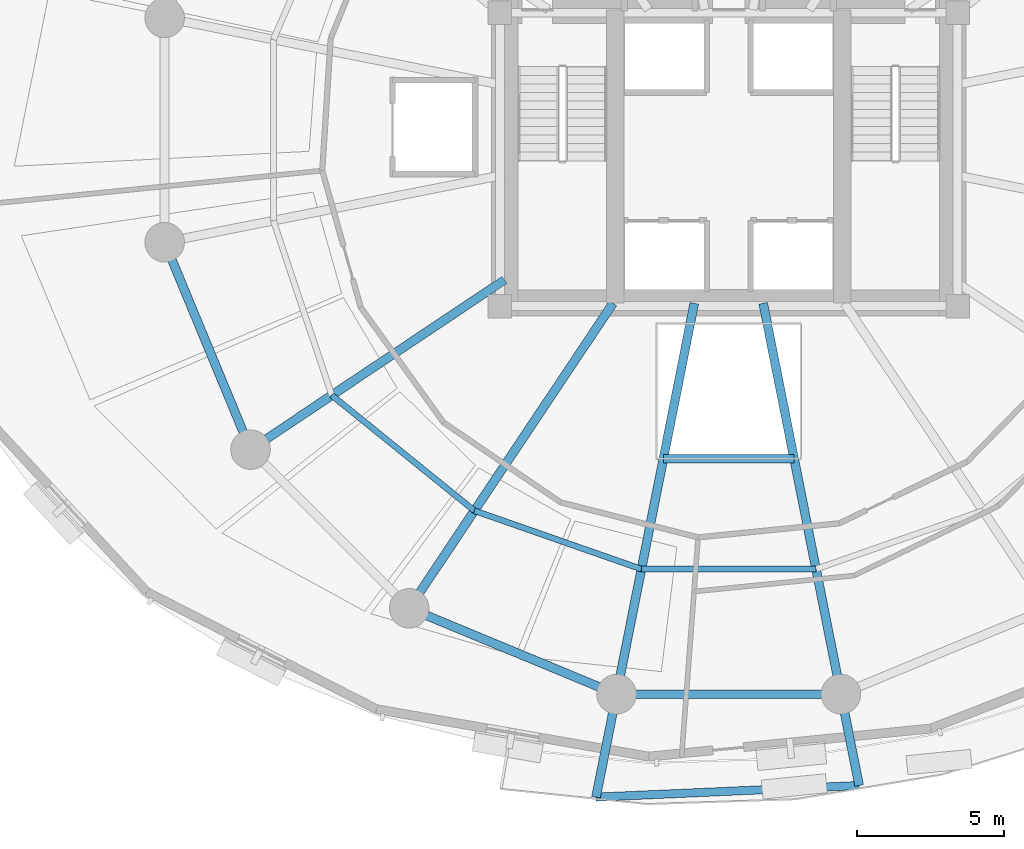
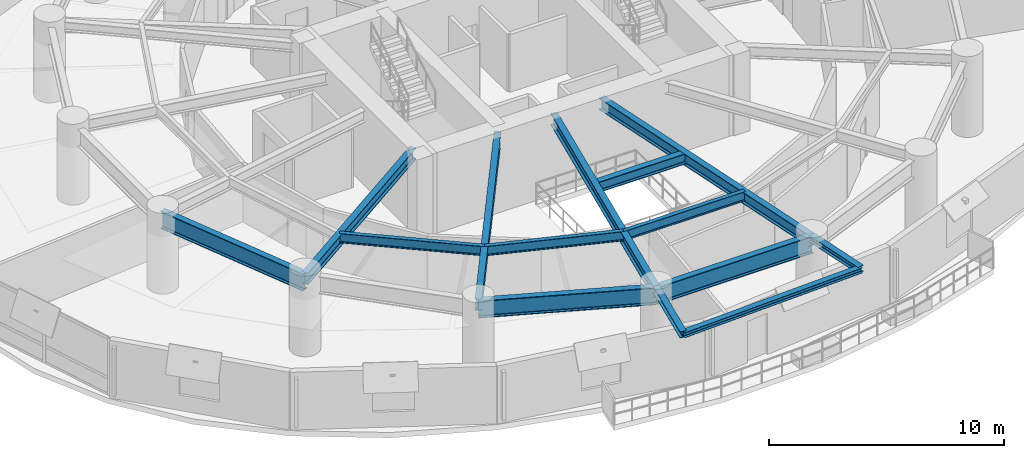
# One storey, part 3 of 17: 14 beams.
"""IFC4 building model written with IfcOpenShell, lengths in metres."""

from ifc_helpers import new_model, si_unit, direction, frame, origin, origin_2d, place, context, subcontext, project, spatial, i_section, extrude, material, material_profile, profile_set, type_object, element, save


model = new_model("IFC4")

# Units and contexts
model_context = context("Model", 3, precision=1e-05, world=origin(), true_north=direction((0.0, 1.0)))
body_context = subcontext(model_context, "Body", "Model", "MODEL_VIEW")
ifc_project = project(units=[si_unit("LENGTHUNIT", "METRE"), si_unit("AREAUNIT", "SQUARE_METRE"), si_unit("VOLUMEUNIT", "CUBIC_METRE"), si_unit("PLANEANGLEUNIT", "RADIAN"), si_unit("MASSUNIT", "GRAM", prefix="KILO"), si_unit("THERMODYNAMICTEMPERATUREUNIT", "KELVIN"), si_unit("POWERUNIT", "WATT")], contexts=[model_context])

# Site, building, storey
site_placement = place(None, origin())
site = spatial("IfcSite", under=ifc_project, at=site_placement, CompositionType="ELEMENT")
building_placement = place(site_placement, origin())
building = spatial("IfcBuilding", under=site, at=building_placement, Name="Ocrelia Relay Tower", CompositionType="ELEMENT")
storey_placement = place(building_placement, frame((0.0, 0.0, 55.199951171875)))
storey = spatial("IfcBuildingStorey", under=building, at=storey_placement, Name="L12", CompositionType="ELEMENT", Elevation=55.199951171875)

# Beams
ifc_material = material(Name="Steel S355", Category="steel")
ifc_material_profile_1 = material_profile(ifc_material, i_section(OverallWidth=0.280029296875, OverallDepth=0.27001953125, WebThickness=0.008056640625, FlangeThickness=0.012939453125, FilletRadius=0.02392578125, at=origin_2d()), Name="HEA 280")
ifc_profile_set_1 = profile_set([ifc_material_profile_1], Name="Steel S355")
beam_type_1 = type_object("IfcBeamType", Name="BM-HEA280", PredefinedType="BEAM", material=ifc_profile_set_1)
beam_1_placement = place(storey_placement, frame((29.47802734375, 3.26708984375, 3.78515625), z_axis=(0.999021033934, 0.04423769611, 0.0), x_axis=(-0.04423769611, 0.999021033934, 0.0)))
element("IfcBeam", 1, at=beam_1_placement, inside=storey, type_object=beam_type_1, Name="L13 Balcony Edge Trimmer Beam B2", PredefinedType="BEAM", context=body_context, shape_type="SweptSolid", body=[
    extrude(i_section(OverallWidth=0.280029296875, OverallDepth=0.27001953125, WebThickness=0.008056640625, FlangeThickness=0.012939453125, FilletRadius=0.02392578125, at=origin_2d()), origin(), (0.0, 0.0, 1.0), 8.9736328125),
])
ifc_material_profile_2 = material_profile(ifc_material, i_section(OverallWidth=0.300048828125, OverallDepth=0.330078125, WebThickness=0.009521484375, FlangeThickness=0.0166015625, FilletRadius=0.027099609375, at=origin_2d()), Name="HEA 340")
ifc_profile_set_2 = profile_set([ifc_material_profile_2], Name="Steel S355")
beam_type_2 = type_object("IfcBeamType", Name="BM-HEA340", PredefinedType="BEAM", material=ifc_profile_set_2)
beam_2_placement = place(storey_placement, frame((30.17626953125, 6.776611328125, 3.755126953125), z_axis=(-0.1951319792, -0.980776993355, 0.0), x_axis=(0.980776993355, -0.1951319792, 0.0)))
element("IfcBeam", 2, at=beam_2_placement, inside=storey, type_object=beam_type_2, Name="L13 Balcony Cantilever Beam B2-1", PredefinedType="BEAM", context=body_context, shape_type="SweptSolid", body=[
    extrude(i_section(OverallWidth=0.300048828125, OverallDepth=0.330078125, WebThickness=0.009521484375, FlangeThickness=0.0166015625, FilletRadius=0.027099609375, at=origin_2d()), origin(), (0.0, 0.0, 1.0), 3.578369140625),
])
beam_3_placement = place(storey_placement, frame((37.82373046875, 6.776611328125, 3.755126953125), z_axis=(0.195095223059, -0.980784305512, 0.0), x_axis=(0.980784305512, 0.195095223059, 0.0)))
element("IfcBeam", 3, at=beam_3_placement, inside=storey, type_object=beam_type_2, Name="L13 Balcony Cantilever Beam B2-2", PredefinedType="BEAM", context=body_context, shape_type="SweptSolid", body=[
    extrude(i_section(OverallWidth=0.300048828125, OverallDepth=0.330078125, WebThickness=0.009521484375, FlangeThickness=0.0166015625, FilletRadius=0.027099609375, at=origin_2d()), origin(), (0.0, 0.0, 1.0), 3.173583984375),
])
ifc_material_profile_3 = material_profile(ifc_material, i_section(OverallWidth=0.300048828125, OverallDepth=0.550048828125, WebThickness=0.014892578125, FlangeThickness=0.029052734375, FilletRadius=0.027099609375, at=origin_2d()), Name="HEB 550")
ifc_profile_set_3 = profile_set([ifc_material_profile_3], Name="Steel S355")
beam_type_3 = type_object("IfcBeamType", Name="BM-HEB550", PredefinedType="BEAM", material=ifc_profile_set_3)
beam_4_placement = place(storey_placement, frame((31.772216796875, 14.800048828125, 3.64501953125), z_axis=(1.0, 0.0, 0.0), x_axis=(0.0, 1.0, 0.0)))
element("IfcBeam", 4, at=beam_4_placement, inside=storey, type_object=beam_type_3, Name="L12 Atrium South Trimmer Beam", PredefinedType="BEAM", context=body_context, shape_type="SweptSolid", body=[
    extrude(i_section(OverallWidth=0.300048828125, OverallDepth=0.550048828125, WebThickness=0.014892578125, FlangeThickness=0.029052734375, FilletRadius=0.027099609375, at=origin_2d()), origin(), (0.0, 0.0, 1.0), 4.45556640625),
])
ifc_material_profile_4 = material_profile(ifc_material, i_section(OverallWidth=0.300048828125, OverallDepth=0.60009765625, WebThickness=0.015380859375, FlangeThickness=0.030029296875, FilletRadius=0.027099609375, at=origin_2d()), Name="HEB 600")
ifc_profile_set_4 = profile_set([ifc_material_profile_4], Name="Steel S355")
beam_type_4 = type_object("IfcBeamType", Name="BM-HEB600", PredefinedType="BEAM", material=ifc_profile_set_4)
beam_5_placement = place(storey_placement, frame((17.703125, 15.11083984375, 3.6201171875), z_axis=(0.83146868639, 0.555571618743, 0.0), x_axis=(-0.555571618743, 0.83146868639, 0.0)))
element("IfcBeam", 5, at=beam_5_placement, inside=storey, type_object=beam_type_4, Name="L12 Radial Floor Girder R10", PredefinedType="BEAM", context=body_context, shape_type="SweptSolid", body=[
    extrude(i_section(OverallWidth=0.300048828125, OverallDepth=0.60009765625, WebThickness=0.015380859375, FlangeThickness=0.030029296875, FilletRadius=0.027099609375, at=origin_2d()), origin(), (0.0, 0.0, 1.0), 10.405517578125),
])
beam_6_placement = place(storey_placement, frame((23.11083984375, 9.703125, 3.6201171875), z_axis=(0.555569912646, 0.831469826369, 0.0), x_axis=(-0.831469826369, 0.555569912646, 0.0)))
element("IfcBeam", 6, at=beam_6_placement, inside=storey, type_object=beam_type_4, Name="L12 Radial Floor Girder R11", PredefinedType="BEAM", context=body_context, shape_type="SweptSolid", body=[
    extrude(i_section(OverallWidth=0.300048828125, OverallDepth=0.60009765625, WebThickness=0.015380859375, FlangeThickness=0.030029296875, FilletRadius=0.027099609375, at=origin_2d()), origin(), (0.0, 0.0, 1.0), 12.498046875),
])
for number, where, z_axis, x_axis, name in (
    (7, (30.17626953125, 6.776611328125, 3.6201171875), (0.195089155229, 0.980785512491, 0.0), (-0.980785512491, 0.195089155229, 0.0), "L12 Radial Floor Girder R12"),
    (8, (37.82373046875, 6.776611328125, 3.6201171875), (-0.195089155229, 0.980785512491, 0.0), (-0.980785512491, -0.195089155229, 0.0), "L12 Radial Floor Girder R13"),
):
    element("IfcBeam", number, at=place(storey_placement, frame(where, z_axis=z_axis, x_axis=x_axis)), inside=storey, type_object=beam_type_4, Name=name, PredefinedType="BEAM", context=body_context, shape_type="SweptSolid", body=[
        extrude(i_section(OverallWidth=0.300048828125, OverallDepth=0.60009765625, WebThickness=0.015380859375, FlangeThickness=0.030029296875, FilletRadius=0.027099609375, at=origin_2d()), origin(), (0.0, 0.0, 1.0), 13.579345703125),
    ])
ifc_material_profile_5 = material_profile(ifc_material, i_section(OverallWidth=0.300048828125, OverallDepth=0.89990234375, WebThickness=0.0185546875, FlangeThickness=0.034912109375, FilletRadius=0.030029296875, at=origin_2d()), Name="HEB 900")
ifc_profile_set_5 = profile_set([ifc_material_profile_5], Name="Steel S355")
beam_type_5 = type_object("IfcBeamType", Name="BM-HEB900", PredefinedType="BEAM", material=ifc_profile_set_5)
for number, where, z_axis, x_axis, name in (
    (9, (14.776611328125, 22.17626953125, 3.469970703125), (0.382674154222, -0.923883375589, 0.0), (0.923883375589, 0.382674154222, 0.0), "L12 Perimeter Spandrel Beam S09"),
    (10, (23.11083984375, 9.703125, 3.469970703125), (0.923883375589, -0.382674154222, 0.0), (0.382674154222, 0.923883375589, 0.0), "L12 Perimeter Spandrel Beam S11"),
    (11, (30.17626953125, 6.776611328125, 3.469970703125), (1.0, 0.0, 0.0), (0.0, 1.0, 0.0), "L12 Perimeter Spandrel Beam S12"),
):
    element("IfcBeam", number, at=place(storey_placement, frame(where, z_axis=z_axis, x_axis=x_axis)), inside=storey, type_object=beam_type_5, Name=name, PredefinedType="BEAM", context=body_context, shape_type="SweptSolid", body=[
        extrude(i_section(OverallWidth=0.300048828125, OverallDepth=0.89990234375, WebThickness=0.0185546875, FlangeThickness=0.034912109375, FilletRadius=0.030029296875, at=origin_2d()), origin(), (0.0, 0.0, 1.0), 7.6474609375),
    ])
ifc_material_profile_6 = material_profile(ifc_material, i_section(OverallWidth=0.199951171875, OverallDepth=0.5, WebThickness=0.01025390625, FlangeThickness=0.01611328125, FilletRadius=0.02099609375, at=origin_2d()), Name="IPE 500")
ifc_profile_set_6 = profile_set([ifc_material_profile_6], Name="Steel S355")
beam_type_6 = type_object("IfcBeamType", Name="BM-IPE500", PredefinedType="JOIST", material=ifc_profile_set_6)
beam_7_placement = place(storey_placement, frame((20.4716796875, 16.960693359375, 3.670166015625), z_axis=(0.77748215158, -0.628905003935, 0.0), x_axis=(0.628905003935, 0.77748215158, 0.0)))
element("IfcBeam", 12, at=beam_7_placement, inside=storey, type_object=beam_type_6, Name="L12 Secondary Floor Joist J10", PredefinedType="JOIST", context=body_context, shape_type="SweptSolid", body=[
    extrude(i_section(OverallWidth=0.199951171875, OverallDepth=0.5, WebThickness=0.01025390625, FlangeThickness=0.01611328125, FilletRadius=0.02099609375, at=origin_2d()), origin(), (0.0, 0.0, 1.0), 6.25244140625),
])
beam_8_placement = place(storey_placement, frame((25.332763671875, 13.028564453125, 3.670166015625), z_axis=(0.943957429675, -0.330067221882, 0.0), x_axis=(0.330067221882, 0.943957429675, 0.0)))
element("IfcBeam", 13, at=beam_8_placement, inside=storey, type_object=beam_type_6, Name="L12 Secondary Floor Joist J11", PredefinedType="JOIST", context=body_context, shape_type="SweptSolid", body=[
    extrude(i_section(OverallWidth=0.199951171875, OverallDepth=0.5, WebThickness=0.01025390625, FlangeThickness=0.01611328125, FilletRadius=0.02099609375, at=origin_2d()), origin(), (0.0, 0.0, 1.0), 6.029052734375),
])
beam_9_placement = place(storey_placement, frame((31.02392578125, 11.03857421875, 3.670166015625), z_axis=(1.0, 0.0, 0.0), x_axis=(0.0, 1.0, 0.0)))
element("IfcBeam", 14, at=beam_9_placement, inside=storey, type_object=beam_type_6, Name="L12 Secondary Floor Joist J12", PredefinedType="JOIST", context=body_context, shape_type="SweptSolid", body=[
    extrude(i_section(OverallWidth=0.199951171875, OverallDepth=0.5, WebThickness=0.01025390625, FlangeThickness=0.01611328125, FilletRadius=0.02099609375, at=origin_2d()), origin(), (0.0, 0.0, 1.0), 5.9521484375),
])

save(model, "model.ifc")
